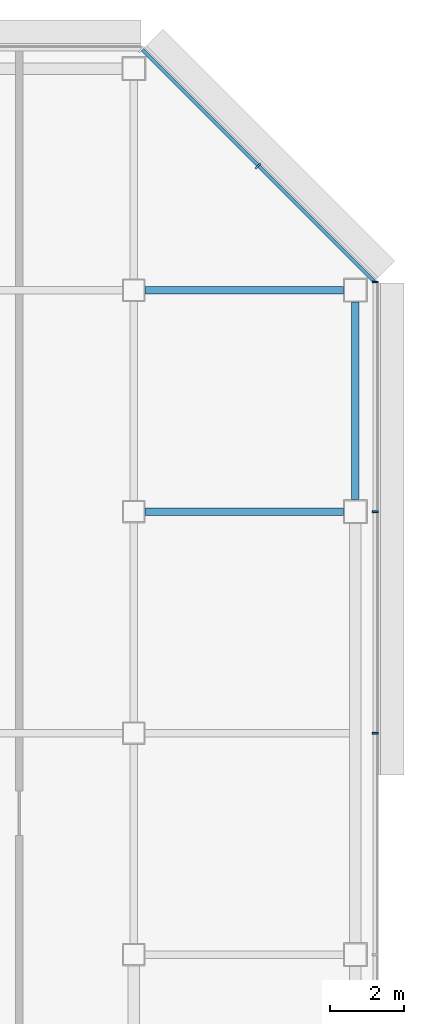
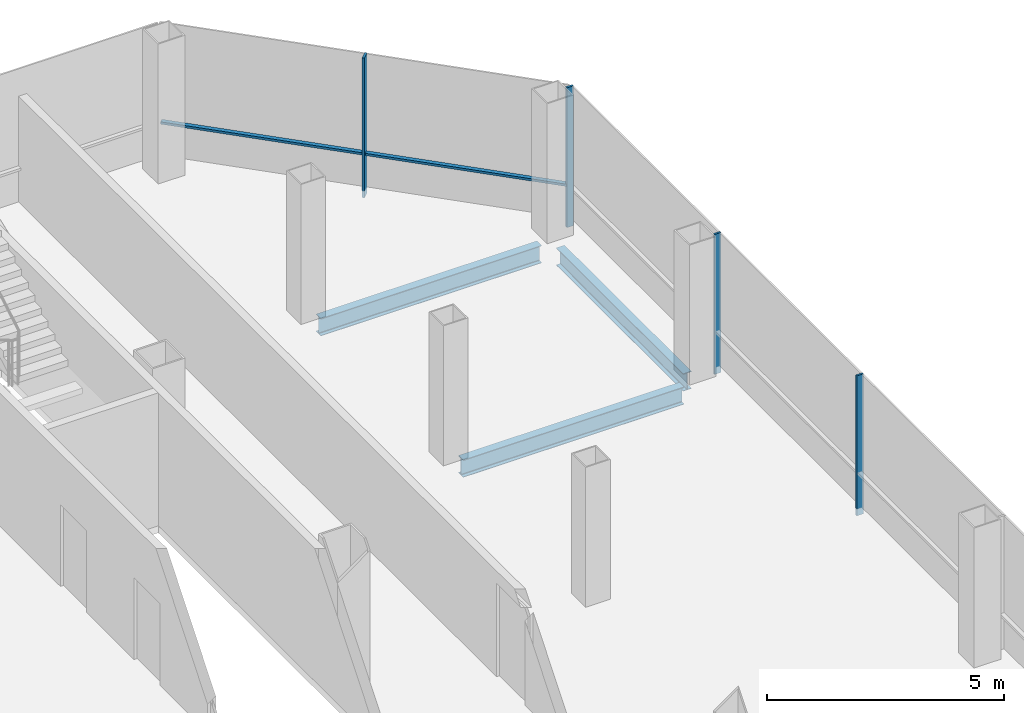
# One storey, part 18 of 27: 5 members, 3 beams, 2 elements without a shape of their own.
"""IFC4 building model written with IfcOpenShell, lengths in metres."""

from ifc_helpers import new_model, si_unit, direction, frame, origin, origin_2d, place, context, subcontext, project, spatial, rectangle, i_section, extrude, material, material_profile, profile_set, type_object, element, aggregate, save


model = new_model("IFC4")

# Units and contexts
model_context = context("Model", 3, precision=1e-05, world=origin(), true_north=direction((0.0, 1.0)))
body_context = subcontext(model_context, "Body", "Model", "MODEL_VIEW")
ifc_project = project(units=[si_unit("LENGTHUNIT", "METRE"), si_unit("AREAUNIT", "SQUARE_METRE"), si_unit("VOLUMEUNIT", "CUBIC_METRE"), si_unit("PLANEANGLEUNIT", "RADIAN"), si_unit("MASSUNIT", "GRAM", prefix="KILO")], contexts=[model_context])

# Site, building, storey
site_placement = place(None, origin())
site = spatial("IfcSite", under=ifc_project, at=site_placement, CompositionType="ELEMENT")
building_placement = place(site_placement, origin())
building = spatial("IfcBuilding", under=site, at=building_placement, Name="Sorahane Residences", CompositionType="ELEMENT")
storey_placement = place(building_placement, frame((0.0, 0.0, 226.199951171875)))
storey = spatial("IfcBuildingStorey", under=building, at=storey_placement, Name="L53", CompositionType="ELEMENT", Elevation=226.199951171875)

# Curtain wall, members
ifc_material_1 = material(Name="Dark low-e glass and black anodised aluminium", Category="aluminium")
curtain_wall_type_1 = type_object("IfcCurtainWallType", Name="Curtain wall CW-1 Typical unitised wall", PredefinedType="NOTDEFINED", material=ifc_material_1)
curtain_wall_1_placement = place(storey_placement, origin())
curtain_wall_1 = element("IfcCurtainWall", 1, at=curtain_wall_1_placement, inside=storey, type_object=curtain_wall_type_1, Name="CW-1 curtain wall L53 E1", PredefinedType="NOTDEFINED")
ifc_material_2 = material(Name="Black anodised aluminium", Category="aluminium")
ifc_material_profile_1 = material_profile(ifc_material_2, rectangle(XDim=0.159912109375, YDim=0.050048828125, at=origin_2d()), Name="Curtain wall mullion CW-1 black anodised aluminium 50x160")
ifc_profile_set_1 = profile_set([ifc_material_profile_1], Name="Black anodised aluminium")
member_type_1 = type_object("IfcMemberType", Name="Curtain wall mullion CW-1 black anodised aluminium 50x160", PredefinedType="MULLION", material=ifc_profile_set_1)
member_1_placement = place(storey_placement, frame((54.5400390625, 30.0, -0.179931640625), z_axis=(0.0, 0.0, 1.0), x_axis=(1.0, 0.0, 0.0)))
member_1 = element("IfcMember", 2, at=member_1_placement, type_object=member_type_1, Name="CW-1 mullion L53 E1.5", PredefinedType="MULLION", context=body_context, shape_type="SweptSolid", body=[
    extrude(rectangle(XDim=0.159912109375, YDim=0.050048828125, at=origin_2d()), origin(), (0.0, 0.0, 1.0), 3.60009765625),
])
member_2_placement = place(storey_placement, frame((54.5400390625, 36.0, -0.179931640625), z_axis=(0.0, 0.0, 1.0), x_axis=(1.0, 0.0, 0.0)))
member_2 = element("IfcMember", 3, at=member_2_placement, type_object=member_type_1, Name="CW-1 mullion L53 E1.6", PredefinedType="MULLION", context=body_context, shape_type="SweptSolid", body=[
    extrude(rectangle(XDim=0.159912109375, YDim=0.050048828125, at=origin_2d()), origin(), (0.0, 0.0, 1.0), 3.60009765625),
])
member_3_placement = place(storey_placement, frame((54.5400390625, 42.2236328125, -0.179931640625), z_axis=(0.0, 0.0, 1.0), x_axis=(1.0, 0.0, 0.0)))
member_3 = element("IfcMember", 4, at=member_3_placement, type_object=member_type_1, Name="CW-1 mullion L53 E1.7", PredefinedType="MULLION", context=body_context, shape_type="SweptSolid", body=[
    extrude(rectangle(XDim=0.159912109375, YDim=0.050048828125, at=origin_2d()), origin(), (0.0, 0.0, 1.0), 3.60009765625),
])
aggregate(curtain_wall_1, [member_1, member_2, member_3])

ifc_material_3 = material(Name="Dark low-e glass and black anodised aluminium", Category="aluminium")
curtain_wall_type_2 = type_object("IfcCurtainWallType", Name="Curtain wall CW-2 Chamfer unitised wall", PredefinedType="NOTDEFINED", material=ifc_material_3)
curtain_wall_2_placement = place(storey_placement, origin())
curtain_wall_2 = element("IfcCurtainWall", 5, at=curtain_wall_2_placement, inside=storey, type_object=curtain_wall_type_2, Name="CW-2 curtain wall L53 NE1", PredefinedType="NOTDEFINED")
ifc_material_4 = material(Name="Black anodised aluminium", Category="aluminium")
ifc_material_profile_2 = material_profile(ifc_material_4, rectangle(XDim=0.199951171875, YDim=0.050048828125, at=origin_2d()), Name="Curtain wall mullion CW-2 black anodised aluminium 50x200")
ifc_profile_set_2 = profile_set([ifc_material_profile_2], Name="Black anodised aluminium")
member_type_2 = type_object("IfcMemberType", Name="Curtain wall mullion CW-2 black anodised aluminium 50x200", PredefinedType="MULLION", material=ifc_profile_set_2)
member_4_placement = place(storey_placement, frame((51.36767578125, 45.36767578125, -0.179931640625), z_axis=(0.0, 0.0, 1.0), x_axis=(0.707106781187, 0.707106781187, 0.0)))
member_4 = element("IfcMember", 6, at=member_4_placement, type_object=member_type_2, Name="CW-2 mullion L53 NE1.2", PredefinedType="MULLION", context=body_context, shape_type="SweptSolid", body=[
    extrude(rectangle(XDim=0.199951171875, YDim=0.050048828125, at=origin_2d()), origin(), (0.0, 0.0, 1.0), 3.60009765625),
])
ifc_material_5 = material(Name="Black anodised aluminium", Category="aluminium")
ifc_material_profile_3 = material_profile(ifc_material_5, rectangle(XDim=0.10009765625, YDim=0.06005859375, at=origin_2d()), Name="Curtain wall transom CW-2 black anodised aluminium 60x100")
ifc_profile_set_3 = profile_set([ifc_material_profile_3], Name="Black anodised aluminium")
member_type_3 = type_object("IfcMemberType", Name="Curtain wall transom CW-2 black anodised aluminium 60x100", PredefinedType="USERDEFINED", material=ifc_profile_set_3)
member_5_placement = place(storey_placement, frame((54.51513671875, 42.234375, 0.900146484375), z_axis=(-0.707106781187, 0.707106781187, 0.0), x_axis=(-0.707106781187, -0.707106781187, 0.0)))
member_5 = element("IfcMember", 7, at=member_5_placement, type_object=member_type_3, Name="CW-2 transom L53 NE1", ObjectType="TRANSOM", PredefinedType="USERDEFINED", context=body_context, shape_type="SweptSolid", body=[
    extrude(rectangle(XDim=0.10009765625, YDim=0.06005859375, at=origin_2d()), origin(), (0.0, 0.0, 1.0), 8.88232421875),
])
aggregate(curtain_wall_2, [member_4, member_5])

# Beams
ifc_material_6 = material(Name="Steel Q355B", Category="steel")
ifc_material_profile_4 = material_profile(ifc_material_6, i_section(OverallWidth=0.199951171875, OverallDepth=0.449951171875, WebThickness=0.009033203125, FlangeThickness=0.013916015625, FilletRadius=0.02001953125, at=origin_2d()), Name="HN 450x200x9x14")
ifc_profile_set_4 = profile_set([ifc_material_profile_4], Name="Steel Q355B")
beam_type = type_object("IfcBeamType", Name="Steel floor beam HN 450x200x9x14 Q355B", PredefinedType="BEAM", material=ifc_profile_set_4)
beam_1_placement = place(storey_placement, frame((48.300048828125, 36.0, -0.405029296875), z_axis=(1.0, 0.0, 0.0), x_axis=(0.0, 1.0, 0.0)))
element("IfcBeam", 8, at=beam_1_placement, inside=storey, type_object=beam_type, Name="Beam L53 014", PredefinedType="BEAM", context=body_context, shape_type="SweptSolid", body=[
    extrude(i_section(OverallWidth=0.199951171875, OverallDepth=0.449951171875, WebThickness=0.009033203125, FlangeThickness=0.013916015625, FilletRadius=0.02001953125, at=origin_2d()), origin(), (0.0, 0.0, 1.0), 5.375),
])
beam_2_placement = place(storey_placement, frame((54.0, 36.324951171875, -0.405029296875), z_axis=(0.0, 1.0, 0.0), x_axis=(-1.0, 0.0, 0.0)))
element("IfcBeam", 9, at=beam_2_placement, inside=storey, type_object=beam_type, Name="Beam L53 067", PredefinedType="BEAM", context=body_context, shape_type="SweptSolid", body=[
    extrude(i_section(OverallWidth=0.199951171875, OverallDepth=0.449951171875, WebThickness=0.009033203125, FlangeThickness=0.013916015625, FilletRadius=0.02001953125, at=origin_2d()), origin(), (0.0, 0.0, 1.0), 5.35009765625),
])
beam_3_placement = place(storey_placement, frame((48.300048828125, 42.0, -0.405029296875), z_axis=(1.0, 0.0, 0.0), x_axis=(0.0, 1.0, 0.0)))
element("IfcBeam", 10, at=beam_3_placement, inside=storey, type_object=beam_type, Name="Beam L53 092", PredefinedType="BEAM", context=body_context, shape_type="SweptSolid", body=[
    extrude(i_section(OverallWidth=0.199951171875, OverallDepth=0.449951171875, WebThickness=0.009033203125, FlangeThickness=0.013916015625, FilletRadius=0.02001953125, at=origin_2d()), origin(), (0.0, 0.0, 1.0), 5.375),
])

save(model, "model.ifc")
